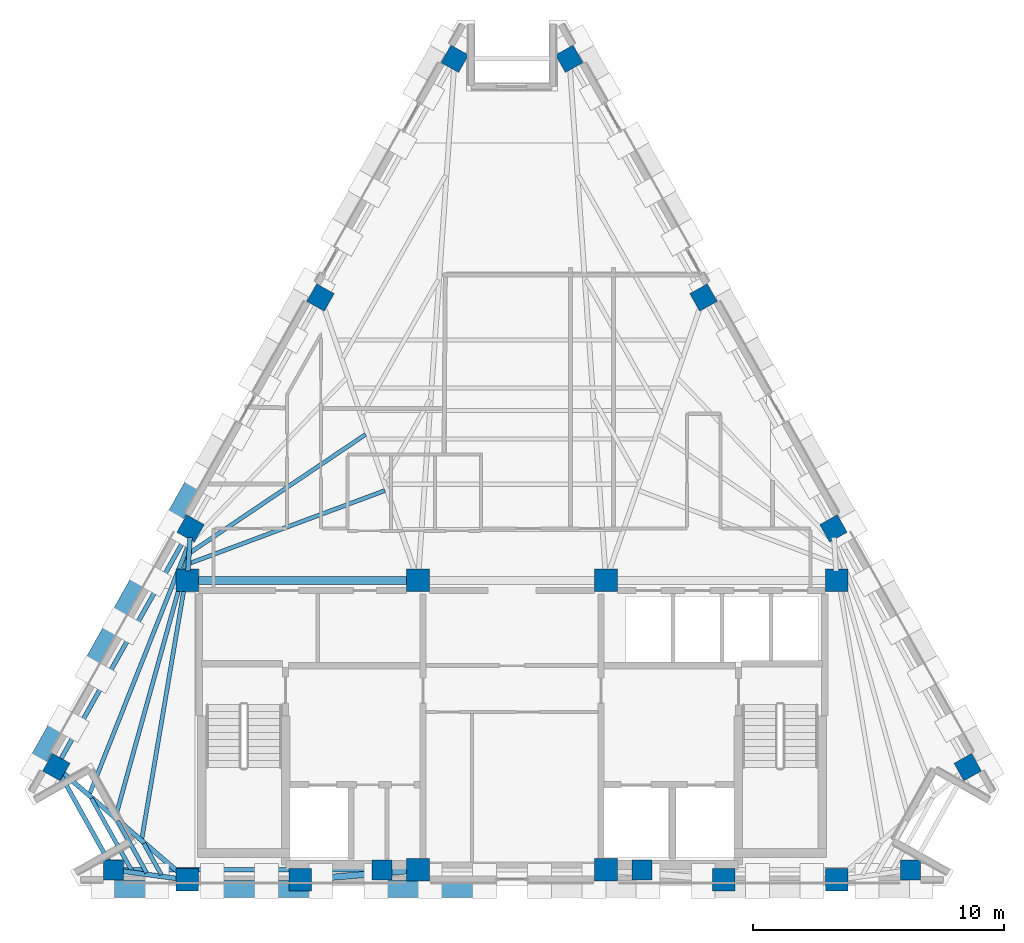
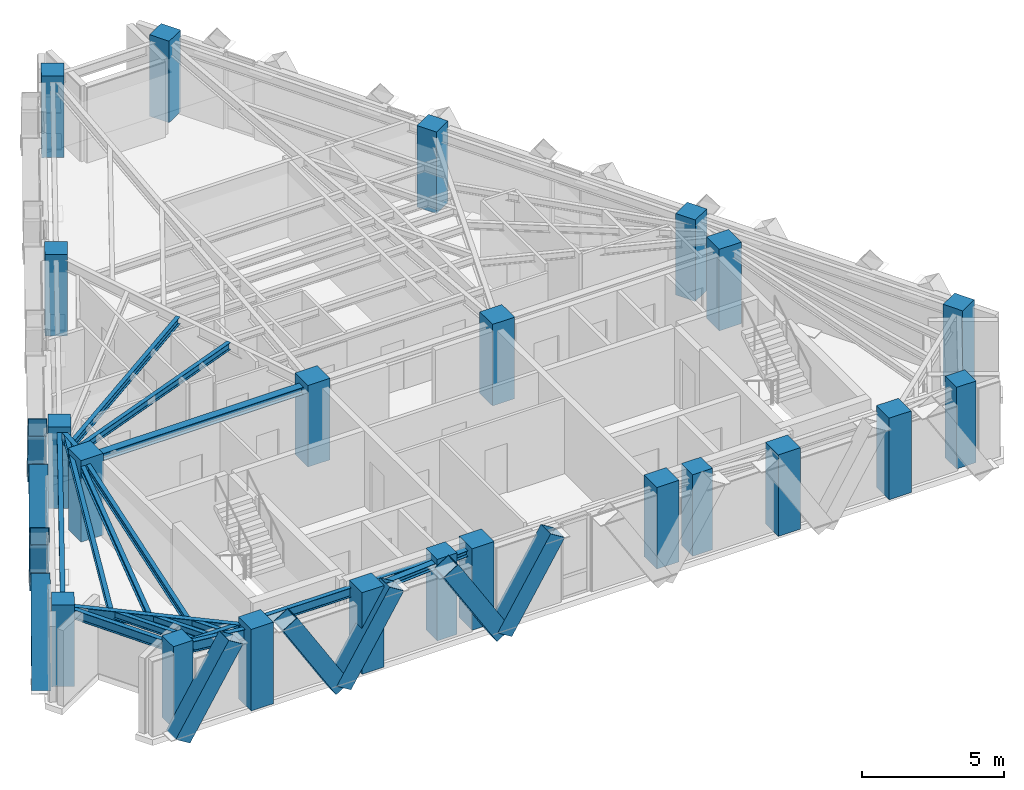
# One storey, part 1 of 9: 22 columns, 16 beams, 9 members.
"""IFC4 building model written with IfcOpenShell, lengths in metres."""

import ifcopenshell
import ifcopenshell.guid

model = None  # the IFC model being written
_history = None  # IfcOwnerHistory: only IFC2X3 demands one
_inside = {}  # id of a spatial element -> (the spatial element, [elements in it])
_under = {}  # id of a project, library or spatial element -> (it, [spatial elements below it])
_declared = {}  # id of a project -> (the project, [libraries it declares])
_typed = {}  # id of a type object -> (the type object, [elements of that type])
_made_of = {}  # id of a material, layer set ... -> (it, [elements and type objects made of it])


def new_model(schema):
    """Start an empty IFC model of exactly this schema.

    Asked for "IFC4X3", IfcOpenShell would pick the latest addendum, in which some entities
    have other attributes; the version numbers below select the first issue.
    IFC2X3 requires an IfcOwnerHistory on every rooted entity: one is made here for all.
    """
    global model, _history
    if schema == "IFC4X3":
        model = ifcopenshell.file(schema_version=(4, 3, 0, 0))
    else:
        model = ifcopenshell.file(schema=schema)
    _inside.clear()
    _under.clear()
    _declared.clear()
    _typed.clear()
    _made_of.clear()
    _history = None
    if model.schema == "IFC2X3":
        org = make("IfcOrganization", Name="unknown")
        user = make(
            "IfcPersonAndOrganization",
            ThePerson=make("IfcPerson", FamilyName="unknown"),
            TheOrganization=org,
        )
        app = make(
            "IfcApplication",
            ApplicationDeveloper=org,
            Version="unknown",
            ApplicationFullName="unknown",
            ApplicationIdentifier="unknown",
        )
        _history = make(
            "IfcOwnerHistory",
            OwningUser=user,
            OwningApplication=app,
            ChangeAction="ADDED",
            CreationDate=0,
        )
    return model


def make(cls, **values):
    """One entity of the class cls with the attributes given. An attribute that is None is left unset."""
    return model.create_entity(
        cls, **{name: value for name, value in values.items() if value is not None}
    )


def rooted(cls, **values):
    """An entity with a GlobalId (a new one), such as an element, a storey or a relation."""
    return make(cls, GlobalId=ifcopenshell.guid.new(), OwnerHistory=_history, **values)


def si_unit(unit_type, name, prefix=None):
    """IfcSIUnit, for example si_unit("LENGTHUNIT", "METRE", prefix="MILLI")."""
    return make("IfcSIUnit", UnitType=unit_type, Prefix=prefix, Name=name)


def assignment(units):
    """IfcUnitAssignment: the units of a project."""
    return None if units is None else make("IfcUnitAssignment", Units=units)


def point(xyz):
    """IfcCartesianPoint."""
    return None if xyz is None else make("IfcCartesianPoint", Coordinates=xyz)


def direction(xyz):
    """IfcDirection."""
    return None if xyz is None else make("IfcDirection", DirectionRatios=xyz)


def frame(location, z_axis=None, x_axis=None):
    """IfcAxis2Placement3D, a coordinate frame: its origin and axes. An axis left out is left unset."""
    return make(
        "IfcAxis2Placement3D",
        Location=point(location),
        Axis=direction(z_axis),
        RefDirection=direction(x_axis),
    )


def frame_2d(location, x_axis=None):
    """IfcAxis2Placement2D, a coordinate frame in the plane: its origin and x axis."""
    return make(
        "IfcAxis2Placement2D", Location=point(location), RefDirection=direction(x_axis)
    )


def origin():
    """The frame at (0, 0, 0) with its axes left unset."""
    return frame((0.0, 0.0, 0.0))


def origin_2d():
    """The frame at (0, 0) in the plane with its x axis left unset."""
    return frame_2d((0.0, 0.0))


def place(relative_to, where):
    """IfcLocalPlacement: puts the frame where relative to a parent placement (None: the world)."""
    return make(
        "IfcLocalPlacement", PlacementRelTo=relative_to, RelativePlacement=where
    )


def context(
    kind, dimensions, precision=None, world=None, true_north=None, identifier=None
):
    """IfcGeometricRepresentationContext, for example the 3D "Model" context."""
    return make(
        "IfcGeometricRepresentationContext",
        ContextIdentifier=identifier,
        ContextType=kind,
        CoordinateSpaceDimension=dimensions,
        Precision=precision,
        WorldCoordinateSystem=world,
        TrueNorth=true_north,
    )


def subcontext(parent, identifier, kind, view, scale=None):
    """IfcGeometricRepresentationSubContext, for example "Body" below "Model"."""
    return make(
        "IfcGeometricRepresentationSubContext",
        ContextIdentifier=identifier,
        ContextType=kind,
        ParentContext=parent,
        TargetScale=scale,
        TargetView=view,
    )


def project(units=None, contexts=None):
    """IfcProject with its units and contexts."""
    return rooted(
        "IfcProject",
        Name="project",
        RepresentationContexts=contexts,
        UnitsInContext=assignment(units),
    )


def spatial(cls, under=None, at=None, **own):
    """A site, building, storey or space (cls), placed at a placement, below another one or the project."""
    s = rooted(cls, ObjectPlacement=at, **own)
    if under is not None:
        _under.setdefault(under.id(), (under, []))[1].append(s)
    return s


def profile(cls, at=None, kind="AREA", **sizes):
    """A parametric profile (cls). Its sizes go by their IFC names, for example OverallWidth=200.0."""
    return make(cls, ProfileType=kind, Position=at, **sizes)


def rectangle(**sizes):
    """IfcRectangleProfileDef."""
    return profile("IfcRectangleProfileDef", **sizes)


def hollow_rectangle(**sizes):
    """IfcRectangleHollowProfileDef."""
    return profile("IfcRectangleHollowProfileDef", **sizes)


def i_section(**sizes):
    """IfcIShapeProfileDef."""
    return profile("IfcIShapeProfileDef", **sizes)


def extrude(swept, where, along, depth):
    """IfcExtrudedAreaSolid: the profile swept, set in the frame where, extruded along a direction by depth."""
    return make(
        "IfcExtrudedAreaSolid",
        SweptArea=swept,
        Position=where,
        ExtrudedDirection=direction(along),
        Depth=depth,
    )


def shape(context_of_items, identifier, shape_type, items):
    """IfcShapeRepresentation: the items that make up one representation, for example the "Body"."""
    return make(
        "IfcShapeRepresentation",
        ContextOfItems=context_of_items,
        RepresentationIdentifier=identifier,
        RepresentationType=shape_type,
        Items=items,
    )


def material(Name=None, Category=None):
    """IfcMaterial."""
    return make("IfcMaterial", Name=Name, Category=Category)


def material_profile(
    of_material, cross_section, Name=None, Category=None, Priority=None
):
    """IfcMaterialProfile: a cross section and its material."""
    return make(
        "IfcMaterialProfile",
        Name=Name,
        Material=of_material,
        Profile=cross_section,
        Priority=Priority,
        Category=Category,
    )


def profile_set(profiles, Name=None, composite=None):
    """IfcMaterialProfileSet."""
    return make(
        "IfcMaterialProfileSet",
        Name=Name,
        MaterialProfiles=profiles,
        CompositeProfile=composite,
    )


def made_of(thing, what):
    """Note that an element or type object is made of a material, layer set ...; save() writes the relation."""
    if what is not None:
        _made_of.setdefault(what.id(), (what, []))[1].append(thing)
    return thing


def type_object(cls, material=None, **own):
    """A type object (cls), such as IfcWallType, which elements share."""
    return made_of(rooted(cls, **own), material)


def element(
    cls,
    number,
    at=None,
    inside=None,
    cuts=None,
    type_object=None,
    material=None,
    context=None,
    identifier="Body",
    shape_type=None,
    held_by="IfcProductDefinitionShape",
    body=None,
    shapes=None,
    **own,
):
    """One element of the class cls, such as IfcWall. Its Tag is "e" and its number.

    at: its placement. inside: the storey or other place that contains it. cuts: it is an
    opening in that element (IfcRelVoidsElement). A single representation is given by context,
    identifier, shape_type and body (its items); several are given by shapes. held_by: the class
    of the entity that holds the representations. save() writes the other relations.
    """
    e = rooted(cls, Tag="e%d" % number, ObjectPlacement=at, **own)
    if body is not None:
        shapes = [shape(context, identifier, shape_type, body)]
    if shapes is not None:
        e.Representation = make(held_by, Representations=shapes)
    if inside is not None:
        _inside.setdefault(inside.id(), (inside, []))[1].append(e)
    if cuts is not None:
        rooted(
            "IfcRelVoidsElement", RelatingBuildingElement=cuts, RelatedOpeningElement=e
        )
    if type_object is not None:
        _typed.setdefault(type_object.id(), (type_object, []))[1].append(e)
    return made_of(e, material)


def aggregate(whole, parts):
    """IfcRelAggregates: a whole, such as a stair, and the parts it consists of."""
    return rooted("IfcRelAggregates", RelatingObject=whole, RelatedObjects=parts)


def save(model, path):
    """Write the relations noted so far, then the file.

    IfcRelAggregates (storeys below a building ...), IfcRelContainedInSpatialStructure (elements
    in a storey), IfcRelDefinesByType, IfcRelAssociatesMaterial and IfcRelDeclares: one each for
    every whole, place, type object, material and project.
    """
    for whole, parts in _under.values():
        aggregate(whole, parts)
    for where, things in _inside.values():
        rooted(
            "IfcRelContainedInSpatialStructure",
            RelatedElements=things,
            RelatingStructure=where,
        )
    for kind, things in _typed.values():
        rooted("IfcRelDefinesByType", RelatedObjects=things, RelatingType=kind)
    for what, things in _made_of.values():
        rooted("IfcRelAssociatesMaterial", RelatedObjects=things, RelatingMaterial=what)
    for by, libraries in _declared.values():
        rooted("IfcRelDeclares", RelatingContext=by, RelatedDefinitions=libraries)
    model.write(path)


model = new_model("IFC4")

# Units and contexts
model_context = context("Model", 3, precision=1e-05, world=origin(), true_north=direction((0.0, 1.0)))
body_context = subcontext(model_context, "Body", "Model", "MODEL_VIEW")
ifc_project = project(units=[si_unit("LENGTHUNIT", "METRE"), si_unit("AREAUNIT", "SQUARE_METRE"), si_unit("VOLUMEUNIT", "CUBIC_METRE"), si_unit("PLANEANGLEUNIT", "RADIAN"), si_unit("MASSUNIT", "GRAM", prefix="KILO")], contexts=[model_context])

# Site, building, storey
site_placement = place(None, origin())
site = spatial("IfcSite", under=ifc_project, at=site_placement, CompositionType="ELEMENT")
building_placement = place(site_placement, origin())
building = spatial("IfcBuilding", under=site, at=building_placement, Name="Quenlor Broadcast Tower", CompositionType="ELEMENT")
storey_placement = place(building_placement, frame((0.0, 0.0, 249.89990234375)))
storey = spatial("IfcBuildingStorey", under=building, at=storey_placement, Name="L69", CompositionType="ELEMENT", Elevation=249.89990234375)

# Columns
ifc_material_1 = material(Name="Concrete C50/60", Category="concrete")
ifc_material_profile_1 = material_profile(ifc_material_1, rectangle(XDim=0.89990234375, YDim=0.89990234375, at=origin_2d()))
ifc_profile_set_1 = profile_set([ifc_material_profile_1], Name="Concrete C50/60 RC900x900")
column_type_1 = type_object("IfcColumnType", Name="Core Corner Column Upper Concrete C50/60 900", PredefinedType="COLUMN", material=ifc_profile_set_1)
for number, where, z_axis, x_axis, name in (
    (1, (-12.949951171875, -16.75, 0.0), (0.0, 0.0, 1.0), (1.0, 0.0, 0.0), "L69 Core Column CC1"),
    (2, (-8.449951171875, -16.75, 0.0), (0.0, 0.0, 1.0), (1.0, 0.0, 0.0), "L69 Core Column CC2"),
    (3, (-3.75, -16.35009765625, 0.0), (0.0, 0.0, 1.0), (1.0, 0.0, 0.0), "L69 Core Column CC3"),
    (4, (3.75, -16.35009765625, 0.0), (0.0, 0.0, 1.0), (1.0, 0.0, 0.0), "L69 Core Column CC4"),
    (5, (8.449951171875, -16.75, 0.0), (0.0, 0.0, 1.0), (1.0, 0.0, 0.0), "L69 Core Column CC5"),
    (6, (12.949951171875, -16.75, 0.0), (0.0, 0.0, 1.0), (1.0, 0.0, 0.0), "L69 Core Column CC6"),
    (7, (-12.949951171875, -4.800048828125, 0.0), (0.0, 0.0, 1.0), (1.0, 0.0, 0.0), "L69 Core Column CC7"),
    (8, (-3.75, -4.800048828125, 0.0), (0.0, 0.0, 1.0), (1.0, 0.0, 0.0), "L69 Core Column CC8"),
    (9, (3.75, -4.800048828125, 0.0), (0.0, 0.0, 1.0), (1.0, 0.0, 0.0), "L69 Core Column CC9"),
    (10, (12.949951171875, -4.800048828125, 0.0), (0.0, 0.0, 1.0), (1.0, 0.0, 0.0), "L69 Core Column CC10"),
):
    element("IfcColumn", number, at=place(storey_placement, frame(where, z_axis=z_axis, x_axis=x_axis)), inside=storey, type_object=column_type_1, Name=name, PredefinedType="COLUMN", context=body_context, shape_type="SweptSolid", body=[
        extrude(rectangle(XDim=0.89990234375, YDim=0.89990234375, at=origin_2d()), origin(), (0.0, 0.0, 1.0), 3.5),
    ])
ifc_material_2 = material(Name="Concrete C50/60", Category="concrete")
ifc_material_profile_2 = material_profile(ifc_material_2, rectangle(XDim=0.800048828125, YDim=0.800048828125, at=origin_2d()))
ifc_profile_set_2 = profile_set([ifc_material_profile_2], Name="Concrete C50/60 RC800x800")
column_type_2 = type_object("IfcColumnType", Name="Tower Perimeter Column Z5 Concrete C50/60 800", PredefinedType="COLUMN", material=ifc_profile_set_2)
for number, where, z_axis, x_axis, name in (
    (11, (-15.897705078125, -16.35009765625, 0.0), (0.0, 0.0, 1.0), (0.0, 1.0, 0.0), "L69 Perimeter Column S1"),
    (12, (-5.18408203125, -16.35009765625, 0.0), (0.0, 0.0, 1.0), (0.0, 1.0, 0.0), "L69 Perimeter Column S2"),
    (13, (5.18408203125, -16.35009765625, 0.0), (0.0, 0.0, 1.0), (0.0, 1.0, 0.0), "L69 Perimeter Column S3"),
    (14, (15.897705078125, -16.35009765625, 0.0), (0.0, 0.0, 1.0), (0.0, 1.0, 0.0), "L69 Perimeter Column S4"),
    (15, (18.182373046875, -12.25, 0.0), (0.0, 0.0, 1.0), (0.871575139605, 0.490261946333, 0.0), "L69 Perimeter Column NE1"),
    (16, (12.825439453125, -2.726806640625, 0.0), (0.0, 0.0, 1.0), (0.871575139605, 0.490261946333, 0.0), "L69 Perimeter Column NE2"),
    (17, (7.6416015625, 6.4892578125, 0.0), (0.0, 0.0, 1.0), (0.871575139605, 0.490261946333, 0.0), "L69 Perimeter Column NE3"),
    (18, (2.28466796875, 16.012451171875, 0.0), (0.0, 0.0, 1.0), (0.871575139605, 0.490261946333, 0.0), "L69 Perimeter Column NE4"),
    (19, (-2.28466796875, 16.012451171875, 0.0), (0.0, 0.0, 1.0), (-0.871575139605, 0.490261946333, 0.0), "L69 Perimeter Column NW1"),
    (20, (-7.6416015625, 6.4892578125, 0.0), (0.0, 0.0, 1.0), (-0.871575139605, 0.490261946333, 0.0), "L69 Perimeter Column NW2"),
    (21, (-12.825439453125, -2.726806640625, 0.0), (0.0, 0.0, 1.0), (-0.871575139605, 0.490261946333, 0.0), "L69 Perimeter Column NW3"),
    (22, (-18.182373046875, -12.25, 0.0), (0.0, 0.0, 1.0), (-0.871575139605, 0.490261946333, 0.0), "L69 Perimeter Column NW4"),
):
    element("IfcColumn", number, at=place(storey_placement, frame(where, z_axis=z_axis, x_axis=x_axis)), inside=storey, type_object=column_type_2, Name=name, PredefinedType="COLUMN", context=body_context, shape_type="SweptSolid", body=[
        extrude(rectangle(XDim=0.800048828125, YDim=0.800048828125, at=origin_2d()), origin(), (0.0, 0.0, 1.0), 3.5),
    ])

# Beams
ifc_material_3 = material(Name="Steel S355", Category="steel")
ifc_material_profile_3 = material_profile(ifc_material_3, i_section(OverallWidth=0.25390625, OverallDepth=0.25390625, WebThickness=0.008544921875, FlangeThickness=0.01416015625, FilletRadius=0.013916015625, at=origin_2d()))
ifc_profile_set_3 = profile_set([ifc_material_profile_3], Name="Steel S355 250UC72.9")
beam_type_1 = type_object("IfcBeamType", Name="Core Opening Lintel Beam Steel S355 250UC72.9", PredefinedType="LINTEL", material=ifc_profile_set_3)
beam_1_placement = place(storey_placement, frame((-8.09130859375, -16.719482421875, 3.123291015625), z_axis=(0.996399763903, 0.084779186679, 0.0), x_axis=(-0.084779186679, 0.996399763903, 0.0)))
element("IfcBeam", 23, at=beam_1_placement, inside=storey, type_object=beam_type_1, Name="L69 Core Opening Lintel Beam 4", PredefinedType="LINTEL", context=body_context, shape_type="SweptSolid", body=[
    extrude(i_section(OverallWidth=0.25390625, OverallDepth=0.25390625, WebThickness=0.008544921875, FlangeThickness=0.01416015625, FilletRadius=0.013916015625, at=origin_2d()), origin(), (0.0, 0.0, 1.0), 3.9970703125),
])
ifc_material_4 = material(Name="Steel S355", Category="steel")
ifc_material_profile_4 = material_profile(ifc_material_4, i_section(OverallWidth=0.306884765625, OverallDepth=0.314697265625, WebThickness=0.011962890625, FlangeThickness=0.018798828125, FilletRadius=0.0166015625, at=origin_2d()))
ifc_profile_set_4 = profile_set([ifc_material_profile_4], Name="Steel S355 310UC118")
beam_type_2 = type_object("IfcBeamType", Name="Core Tie Beam Steel S355 310UC118", PredefinedType="BEAM", material=ifc_profile_set_4)
beam_2_placement = place(storey_placement, frame((-12.590087890625, -4.800048828125, 3.0927734375), z_axis=(1.0, 0.0, 0.0), x_axis=(0.0, 1.0, 0.0)))
element("IfcBeam", 24, at=beam_2_placement, inside=storey, type_object=beam_type_2, Name="L69 Core Tie Beam 1", PredefinedType="BEAM", context=body_context, shape_type="SweptSolid", body=[
    extrude(i_section(OverallWidth=0.306884765625, OverallDepth=0.314697265625, WebThickness=0.011962890625, FlangeThickness=0.018798828125, FilletRadius=0.0166015625, at=origin_2d()), origin(), (0.0, 0.0, 1.0), 8.47998046875),
])

# Members
ifc_material_5 = material(Name="Steel S355", Category="steel")
ifc_material_profile_5 = material_profile(ifc_material_5, hollow_rectangle(XDim=0.679931640625, YDim=0.679931640625, WallThickness=0.02001953125, at=origin_2d()))
ifc_profile_set_5 = profile_set([ifc_material_profile_5], Name="Steel S355 RHS680x680x20")
member_type = type_object("IfcMemberType", Name="Perimeter Diagonal Lattice Brace Z5-Crown Steel S355 RHS680x20", PredefinedType="BRACE", material=ifc_profile_set_5)
member_1_placement = place(storey_placement, frame((-3.2529296875, -17.1201171875, -0.119873046875), z_axis=(0.523616565236, 0.0, 0.85195404372), x_axis=(0.0, 1.0, 0.0)))
element("IfcMember", 25, at=member_1_placement, inside=storey, type_object=member_type, Name="L69 Perimeter Diamond Lattice S-C3B", PredefinedType="BRACE", context=body_context, shape_type="SweptSolid", body=[
    extrude(hollow_rectangle(XDim=0.679931640625, YDim=0.679931640625, WallThickness=0.02001953125, at=origin_2d()), origin(), (0.0, 0.0, 1.0), 4.108154296875),
])
member_2_placement = place(storey_placement, frame((-3.279052734375, -17.1201171875, -0.119873046875), z_axis=(-0.5236596973, 0.0, 0.851927532965), x_axis=(0.0, -1.0, 0.0)))
element("IfcMember", 26, at=member_2_placement, inside=storey, type_object=member_type, Name="L69 Perimeter Diamond Lattice S-C4S", PredefinedType="BRACE", context=body_context, shape_type="SweptSolid", body=[
    extrude(hollow_rectangle(XDim=0.679931640625, YDim=0.679931640625, WallThickness=0.02001953125, at=origin_2d()), origin(), (0.0, 0.0, 1.0), 4.1083984375),
])
member_3_placement = place(storey_placement, frame((-9.784912109375, -17.1201171875, -0.119873046875), z_axis=(0.523616565236, 0.0, 0.85195404372), x_axis=(0.0, 1.0, 0.0)))
element("IfcMember", 27, at=member_3_placement, inside=storey, type_object=member_type, Name="L69 Perimeter Diamond Lattice S-C4B", PredefinedType="BRACE", context=body_context, shape_type="SweptSolid", body=[
    extrude(hollow_rectangle(XDim=0.679931640625, YDim=0.679931640625, WallThickness=0.02001953125, at=origin_2d()), origin(), (0.0, 0.0, 1.0), 4.108154296875),
])
member_4_placement = place(storey_placement, frame((-9.81103515625, -17.1201171875, -0.119873046875), z_axis=(-0.5236596973, 0.0, 0.851927532965), x_axis=(0.0, -1.0, 0.0)))
element("IfcMember", 28, at=member_4_placement, inside=storey, type_object=member_type, Name="L69 Perimeter Diamond Lattice S-C5S", PredefinedType="BRACE", context=body_context, shape_type="SweptSolid", body=[
    extrude(hollow_rectangle(XDim=0.679931640625, YDim=0.679931640625, WallThickness=0.02001953125, at=origin_2d()), origin(), (0.0, 0.0, 1.0), 4.1083984375),
])
member_5_placement = place(storey_placement, frame((-16.31689453125, -17.1201171875, -0.119873046875), z_axis=(0.523616565236, 0.0, 0.85195404372), x_axis=(0.0, 1.0, 0.0)))
element("IfcMember", 29, at=member_5_placement, inside=storey, type_object=member_type, Name="L69 Perimeter Diamond Lattice S-C5B", PredefinedType="BRACE", context=body_context, shape_type="SweptSolid", body=[
    extrude(hollow_rectangle(XDim=0.679931640625, YDim=0.679931640625, WallThickness=0.02001953125, at=origin_2d()), origin(), (0.0, 0.0, 1.0), 4.108154296875),
])
for number, where, z_axis, x_axis, name in (
    (30, (-19.072265625, -12.261474609375, -0.119873046875), (0.260563732169, 0.463283497491, 0.847038926161), (-0.871602253711, 0.49021374045, 0.0), "L69 Perimeter Diamond Lattice NW-C1S"),
    (31, (-15.815673828125, -6.471923828125, -0.119873046875), (-0.260618804175, -0.463276364439, 0.847025884529), (0.8715547569, -0.490298180422, 0.0), "L69 Perimeter Diamond Lattice NW-C1B"),
    (32, (-15.802490234375, -6.44873046875, -0.119873046875), (0.260563732169, 0.463283497491, 0.847038926161), (-0.871602253711, 0.49021374045, 0.0), "L69 Perimeter Diamond Lattice NW-C2S"),
    (33, (-12.5458984375, -0.6591796875, -0.119873046875), (-0.260618804175, -0.463276364439, 0.847025884529), (0.8715547569, -0.490298180422, 0.0), "L69 Perimeter Diamond Lattice NW-C2B"),
):
    element("IfcMember", number, at=place(storey_placement, frame(where, z_axis=z_axis, x_axis=x_axis)), inside=storey, type_object=member_type, Name=name, PredefinedType="BRACE", context=body_context, shape_type="SweptSolid", body=[
        extrude(hollow_rectangle(XDim=0.679931640625, YDim=0.679931640625, WallThickness=0.02001953125, at=origin_2d()), origin(), (0.0, 0.0, 1.0), 4.132080078125),
    ])

# Beams
ifc_material_6 = material(Name="Steel S355", Category="steel")
ifc_material_profile_6 = material_profile(ifc_material_6, i_section(OverallWidth=0.177978515625, OverallDepth=0.406494140625, WebThickness=0.0078125, FlangeThickness=0.0126953125, FilletRadius=0.011474609375, at=origin_2d()))
ifc_profile_set_6 = profile_set([ifc_material_profile_6], Name="Steel S355 410UB59.7")
beam_type_3 = type_object("IfcBeamType", Name="Perimeter Spandrel Beam Z5 Steel S355 410UB59.7", PredefinedType="SPANDREL", material=ifc_profile_set_6)
beam_3_placement = place(storey_placement, frame((-15.53759765625, -16.35009765625, 3.046875), z_axis=(1.0, 0.0, 0.0), x_axis=(0.0, 1.0, 0.0)))
element("IfcBeam", 34, at=beam_3_placement, inside=storey, type_object=beam_type_3, Name="L69 Spandrel Beam S1-S2", PredefinedType="SPANDREL", context=body_context, shape_type="SweptSolid", body=[
    extrude(i_section(OverallWidth=0.177978515625, OverallDepth=0.406494140625, WebThickness=0.0078125, FlangeThickness=0.0126953125, FilletRadius=0.011474609375, at=origin_2d()), origin(), (0.0, 0.0, 1.0), 9.99365234375),
])
beam_4_placement = place(storey_placement, frame((-13.001953125, -3.04052734375, 3.046875), z_axis=(-0.490274867878, -0.871567871096, 0.0), x_axis=(0.871567871096, -0.490274867878, 0.0)))
element("IfcBeam", 35, at=beam_4_placement, inside=storey, type_object=beam_type_3, Name="L69 Spandrel Beam NW3-NW4", PredefinedType="SPANDREL", context=body_context, shape_type="SweptSolid", body=[
    extrude(i_section(OverallWidth=0.177978515625, OverallDepth=0.406494140625, WebThickness=0.0078125, FlangeThickness=0.0126953125, FilletRadius=0.011474609375, at=origin_2d()), origin(), (0.0, 0.0, 1.0), 10.206298828125),
])
beam_5_placement = place(storey_placement, frame((-18.007080078125, -12.564453125, 3.046875), z_axis=(0.486800618374, -0.873513112638, 0.0), x_axis=(0.873513112638, 0.486800618374, 0.0)))
element("IfcBeam", 36, at=beam_5_placement, inside=storey, type_object=beam_type_3, Name="L69 Spandrel Beam NW4-S1", PredefinedType="SPANDREL", context=body_context, shape_type="SweptSolid", body=[
    extrude(i_section(OverallWidth=0.177978515625, OverallDepth=0.406494140625, WebThickness=0.0078125, FlangeThickness=0.0126953125, FilletRadius=0.011474609375, at=origin_2d()), origin(), (0.0, 0.0, 1.0), 3.9736328125),
])
ifc_material_7 = material(Name="Steel S355", Category="steel")
ifc_material_profile_7 = material_profile(ifc_material_7, i_section(OverallWidth=0.166015625, OverallDepth=0.30712890625, WebThickness=0.006591796875, FlangeThickness=0.01171875, FilletRadius=0.011474609375, at=origin_2d()))
ifc_profile_set_7 = profile_set([ifc_material_profile_7], Name="Steel S355 310UB46.2")
beam_type_4 = type_object("IfcBeamType", Name="Tower Composite Joist Z4-Z5 Steel S355 310UB46.2", PredefinedType="JOIST", material=ifc_profile_set_7)
beam_6_placement = place(storey_placement, frame((-12.835205078125, -4.108642578125, 3.096435546875), z_axis=(0.937062080226, 0.349162795559, 0.0), x_axis=(-0.349162795559, 0.937062080226, 0.0)))
element("IfcBeam", 37, at=beam_6_placement, inside=storey, type_object=beam_type_4, Name="L69 Secondary Composite Joist 7", PredefinedType="JOIST", context=body_context, shape_type="SweptSolid", body=[
    extrude(i_section(OverallWidth=0.166015625, OverallDepth=0.30712890625, WebThickness=0.006591796875, FlangeThickness=0.01171875, FilletRadius=0.011474609375, at=origin_2d()), origin(), (0.0, 0.0, 1.0), 8.286376953125),
])
beam_7_placement = place(storey_placement, frame((-12.81884765625, -3.67724609375, 3.096435546875), z_axis=(0.829286301475, 0.558823970661, 0.0), x_axis=(-0.558823970661, 0.829286301475, 0.0)))
element("IfcBeam", 38, at=beam_7_placement, inside=storey, type_object=beam_type_4, Name="L69 Secondary Composite Joist 8", PredefinedType="JOIST", context=body_context, shape_type="SweptSolid", body=[
    extrude(i_section(OverallWidth=0.166015625, OverallDepth=0.30712890625, WebThickness=0.006591796875, FlangeThickness=0.01171875, FilletRadius=0.011474609375, at=origin_2d()), origin(), (0.0, 0.0, 1.0), 8.415771484375),
])
beam_8_placement = place(storey_placement, frame((-14.76806640625, -15.09619140625, 3.096435546875), z_axis=(0.166553293246, 0.986032454085, 0.0), x_axis=(-0.986032454085, 0.166553293246, 0.0)))
element("IfcBeam", 39, at=beam_8_placement, inside=storey, type_object=beam_type_4, Name="L69 Secondary Composite Joist 13", PredefinedType="JOIST", context=body_context, shape_type="SweptSolid", body=[
    extrude(i_section(OverallWidth=0.166015625, OverallDepth=0.30712890625, WebThickness=0.006591796875, FlangeThickness=0.01171875, FilletRadius=0.011474609375, at=origin_2d()), origin(), (0.0, 0.0, 1.0), 11.097900390625),
])
beam_9_placement = place(storey_placement, frame((-15.806396484375, -14.197998046875, 3.096435546875), z_axis=(0.26744552871, 0.96357298072, 0.0), x_axis=(-0.96357298072, 0.26744552871, 0.0)))
element("IfcBeam", 40, at=beam_9_placement, inside=storey, type_object=beam_type_4, Name="L69 Secondary Composite Joist 14", PredefinedType="JOIST", context=body_context, shape_type="SweptSolid", body=[
    extrude(i_section(OverallWidth=0.166015625, OverallDepth=0.30712890625, WebThickness=0.006591796875, FlangeThickness=0.01171875, FilletRadius=0.011474609375, at=origin_2d()), origin(), (0.0, 0.0, 1.0), 10.856689453125),
])
beam_10_placement = place(storey_placement, frame((-16.8447265625, -13.300537109375, 3.096435546875), z_axis=(0.368680258049, 0.929556274426, 0.0), x_axis=(-0.929556274426, 0.368680258049, 0.0)))
element("IfcBeam", 41, at=beam_10_placement, inside=storey, type_object=beam_type_4, Name="L69 Secondary Composite Joist 15", PredefinedType="JOIST", context=body_context, shape_type="SweptSolid", body=[
    extrude(i_section(OverallWidth=0.166015625, OverallDepth=0.30712890625, WebThickness=0.006591796875, FlangeThickness=0.01171875, FilletRadius=0.011474609375, at=origin_2d()), origin(), (0.0, 0.0, 1.0), 10.737548828125),
])
beam_11_placement = place(storey_placement, frame((-13.9912109375, -16.544189453125, 3.096435546875), z_axis=(-0.486624304452, 0.873611347406, 0.0), x_axis=(-0.873611347406, -0.486624304452, 0.0)))
element("IfcBeam", 42, at=beam_11_placement, inside=storey, type_object=beam_type_4, Name="L69 Secondary Composite Joist 19", PredefinedType="JOIST", context=body_context, shape_type="SweptSolid", body=[
    extrude(i_section(OverallWidth=0.166015625, OverallDepth=0.30712890625, WebThickness=0.006591796875, FlangeThickness=0.01171875, FilletRadius=0.011474609375, at=origin_2d()), origin(), (0.0, 0.0, 1.0), 1.435791015625),
])
beam_12_placement = place(storey_placement, frame((-14.58056640625, -16.464111328125, 3.096435546875), z_axis=(-0.486820963037, 0.873501774439, 0.0), x_axis=(-0.873501774439, -0.486820963037, 0.0)))
element("IfcBeam", 43, at=beam_12_placement, inside=storey, type_object=beam_type_4, Name="L69 Secondary Composite Joist 20", PredefinedType="JOIST", context=body_context, shape_type="SweptSolid", body=[
    extrude(i_section(OverallWidth=0.166015625, OverallDepth=0.30712890625, WebThickness=0.006591796875, FlangeThickness=0.01171875, FilletRadius=0.011474609375, at=origin_2d()), origin(), (0.0, 0.0, 1.0), 2.37451171875),
])
beam_13_placement = place(storey_placement, frame((-15.170166015625, -16.384033203125, 3.096435546875), z_axis=(-0.486762404011, 0.873534408046, 0.0), x_axis=(-0.873534408046, -0.486762404011, 0.0)))
element("IfcBeam", 44, at=beam_13_placement, inside=storey, type_object=beam_type_4, Name="L69 Secondary Composite Joist 21", PredefinedType="JOIST", context=body_context, shape_type="SweptSolid", body=[
    extrude(i_section(OverallWidth=0.166015625, OverallDepth=0.30712890625, WebThickness=0.006591796875, FlangeThickness=0.01171875, FilletRadius=0.011474609375, at=origin_2d()), origin(), (0.0, 0.0, 1.0), 3.313232421875),
])
ifc_material_8 = material(Name="Steel S355", Category="steel")
ifc_material_profile_8 = material_profile(ifc_material_8, i_section(OverallWidth=0.19091796875, OverallDepth=0.46044921875, WebThickness=0.010009765625, FlangeThickness=0.01611328125, FilletRadius=0.011474609375, at=origin_2d()))
ifc_profile_set_8 = profile_set([ifc_material_profile_8], Name="Steel S355 460UB82.1")
beam_type_5 = type_object("IfcBeamType", Name="Tower Primary Floor Beam Z5 Steel S355 460UB82.1", PredefinedType="BEAM", material=ifc_profile_set_8)
beam_14_placement = place(storey_placement, frame((-15.541015625, -16.3984375, 3.02001953125), z_axis=(0.990917044125, -0.134474576267, 0.0), x_axis=(0.134474576267, 0.990917044125, 0.0)))
element("IfcBeam", 45, at=beam_14_placement, inside=storey, type_object=beam_type_5, Name="L69 Primary Radial Beam S1", PredefinedType="BEAM", context=body_context, shape_type="SweptSolid", body=[
    extrude(i_section(OverallWidth=0.19091796875, OverallDepth=0.46044921875, WebThickness=0.010009765625, FlangeThickness=0.01611328125, FilletRadius=0.011474609375, at=origin_2d()), origin(), (0.0, 0.0, 1.0), 2.23486328125),
])
beam_15_placement = place(storey_placement, frame((-12.84716796875, -3.086181640625, 3.02001953125), z_axis=(-0.059899569349, -0.998204408722, 0.0), x_axis=(0.998204408722, -0.059899569349, 0.0)))
element("IfcBeam", 46, at=beam_15_placement, inside=storey, type_object=beam_type_5, Name="L69 Primary Radial Beam NW3", PredefinedType="BEAM", context=body_context, shape_type="SweptSolid", body=[
    extrude(i_section(OverallWidth=0.19091796875, OverallDepth=0.46044921875, WebThickness=0.010009765625, FlangeThickness=0.01611328125, FilletRadius=0.011474609375, at=origin_2d()), origin(), (0.0, 0.0, 1.0), 1.3369140625),
])
beam_16_placement = place(storey_placement, frame((-17.909423828125, -12.484619140625, 3.02001953125), z_axis=(0.75817030855, -0.652056579779, 0.0), x_axis=(0.652056579779, 0.75817030855, 0.0)))
element("IfcBeam", 47, at=beam_16_placement, inside=storey, type_object=beam_type_5, Name="L69 Primary Radial Beam NW4", PredefinedType="BEAM", context=body_context, shape_type="SweptSolid", body=[
    extrude(i_section(OverallWidth=0.19091796875, OverallDepth=0.46044921875, WebThickness=0.010009765625, FlangeThickness=0.01611328125, FilletRadius=0.011474609375, at=origin_2d()), origin(), (0.0, 0.0, 1.0), 6.161376953125),
])

save(model, "model.ifc")
